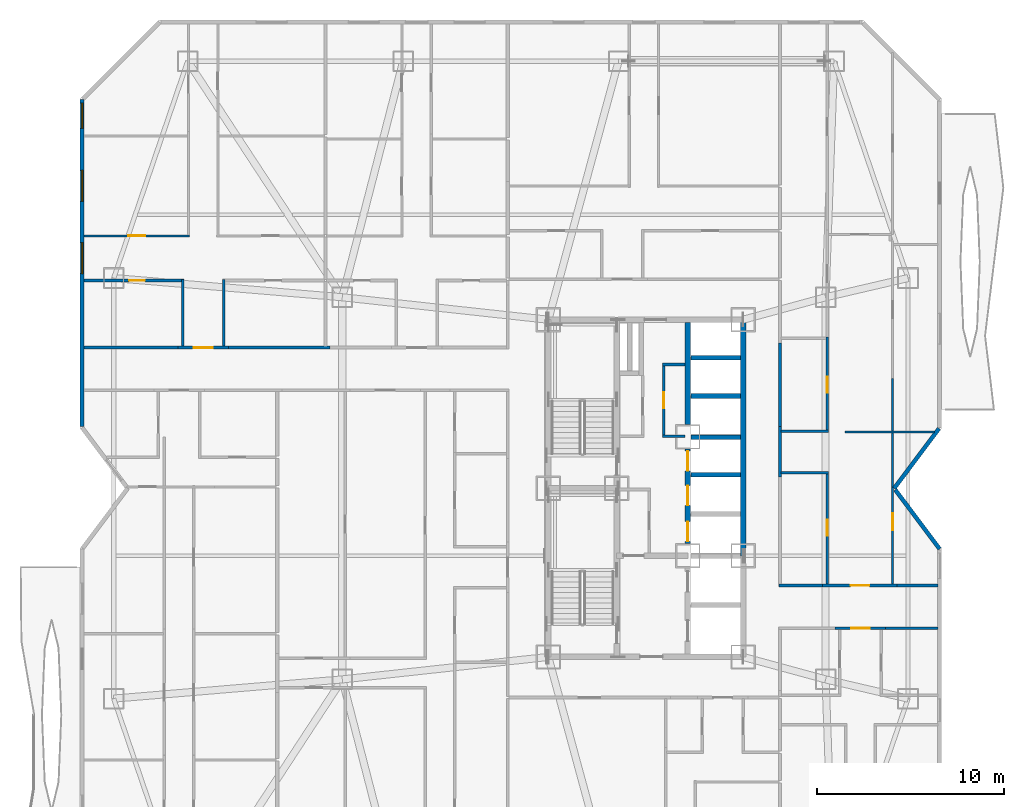
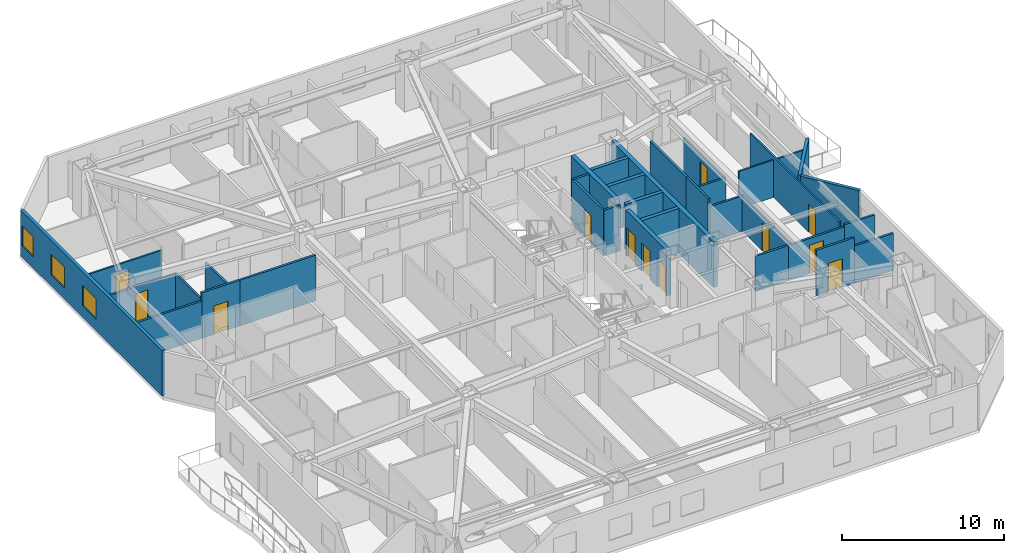
# One storey, part 11 of 16: 33 walls, 12 doors, 3 windows, 15 openings.
"""IFC4 building model written with IfcOpenShell, lengths in metres."""

from ifc_helpers import new_model, si_unit, direction, frame, frame_2d, origin, place, context, subcontext, project, spatial, rectangle, extrude, material, layer, layer_set, type_object, element, fill, save


model = new_model("IFC4")

# Units and contexts
model_context = context("Model", 3, precision=1e-05, world=origin(), true_north=direction((0.0, 1.0)))
body_context = subcontext(model_context, "Body", "Model", "MODEL_VIEW")
ifc_project = project(units=[si_unit("LENGTHUNIT", "METRE"), si_unit("AREAUNIT", "SQUARE_METRE"), si_unit("VOLUMEUNIT", "CUBIC_METRE"), si_unit("PLANEANGLEUNIT", "RADIAN"), si_unit("MASSUNIT", "GRAM", prefix="KILO")], contexts=[model_context])

# Site, building, storey
site_placement = place(None, origin())
site = spatial("IfcSite", under=ifc_project, at=site_placement, CompositionType="ELEMENT")
building_placement = place(site_placement, origin())
building = spatial("IfcBuilding", under=site, at=building_placement, Name="Khamvora Tower", CompositionType="ELEMENT")
storey_placement = place(building_placement, frame((0.0, 0.0, 66.14990234375)))
storey = spatial("IfcBuildingStorey", under=building, at=storey_placement, Name="L16", CompositionType="ELEMENT", Elevation=66.14990234375)

# Wall
ifc_material_1 = material(Name="Concrete C50/60", Category="concrete")
ifc_layer_1 = layer(ifc_material_1, 0.300048828125)
ifc_layer_set_1 = layer_set([ifc_layer_1], Name="Concrete C50/60")
wall_type_1 = type_object("IfcWallType", Name="WAL-CORE-300", PredefinedType="SHEAR", material=ifc_layer_set_1)
wall_1_placement = place(storey_placement, frame((39.39990234375, 24.39990234375, 0.0), z_axis=(0.0, 0.0, 1.0), x_axis=(0.0, 1.0, 0.0)))
element("IfcWall", 1, at=wall_1_placement, inside=storey, type_object=wall_type_1, Name="L16 central core east north wall", PredefinedType="SHEAR", context=body_context, shape_type="SweptSolid", body=[
    extrude(rectangle(XDim=12.60009765625, YDim=0.300048828125, at=frame_2d((6.300048828125, 0.0))), origin(), (0.0, 0.0, 1.0), 3.43017578125),
])

# Wall, openings, doors
wall_2_placement = place(storey_placement, frame((36.449951171875, 25.050048828125, 0.0), z_axis=(0.0, 0.0, 1.0), x_axis=(0.0, 1.0, 0.0)))
wall_2 = element("IfcWall", 2, at=wall_2_placement, inside=storey, type_object=wall_type_1, Name="L16 central core lift bank central wall", PredefinedType="SHEAR", context=body_context, shape_type="SweptSolid", body=[
    extrude(rectangle(XDim=5.050048828125, YDim=0.300048828125, at=frame_2d((2.52490234375, 0.0))), origin(), (0.0, 0.0, 1.0), 3.43017578125),
])
opening_1_placement = place(wall_2_placement, frame((0.1201171875, 0.0, 0.0)))
opening_1 = element("IfcOpeningElement", 3, at=opening_1_placement, cuts=wall_2, Name="Opening LD-PL", PredefinedType="OPENING", context=body_context, shape_type="SweptSolid", body=[
    extrude(rectangle(XDim=1.050048828125, YDim=2.14990234375, at=frame_2d((0.52490234375, 1.074951171875))), frame((0.0, 0.159912109375, 0.0), z_axis=(0.0, -1.0, 0.0), x_axis=(1.0, 0.0, 0.0)), (0.0, 0.0, 1.0), 0.320068359375),
])
opening_2_placement = place(wall_2_placement, frame((2.044921875, 0.0, 0.0)))
opening_2 = element("IfcOpeningElement", 4, at=opening_2_placement, cuts=wall_2, Name="Opening LD-PL", PredefinedType="OPENING", context=body_context, shape_type="SweptSolid", body=[
    extrude(rectangle(XDim=1.050048828125, YDim=2.14990234375, at=frame_2d((0.52490234375, 1.074951171875))), frame((0.0, 0.159912109375, 0.0), z_axis=(0.0, -1.0, 0.0), x_axis=(1.0, 0.0, 0.0)), (0.0, 0.0, 1.0), 0.320068359375),
])
opening_3_placement = place(wall_2_placement, frame((3.8798828125, 0.0, 0.0)))
opening_3 = element("IfcOpeningElement", 5, at=opening_3_placement, cuts=wall_2, Name="Opening LD-PL", PredefinedType="OPENING", context=body_context, shape_type="SweptSolid", body=[
    extrude(rectangle(XDim=1.050048828125, YDim=2.14990234375, at=frame_2d((0.52490234375, 1.074951171875))), frame((0.0, 0.159912109375, 0.0), z_axis=(0.0, -1.0, 0.0), x_axis=(1.0, 0.0, 0.0)), (0.0, 0.0, 1.0), 0.320068359375),
])
ifc_material_2 = material(Name="Powder-Coated Steel and Hardwood Leaf", Category="steel")
door_type_1 = type_object("IfcDoorType", Name="DOR-LIFT-1050", OperationType="SLIDING_TO_LEFT", PredefinedType="DOOR", material=ifc_material_2)
door_1_placement = place(opening_1_placement, origin())
door_1 = element("IfcDoor", 6, at=door_1_placement, inside=storey, type_object=door_type_1, Name="L16 lift landing sliding door PL-01", OperationType="SLIDING_TO_LEFT", OverallHeight=2.14990234375, OverallWidth=1.050048828125, PredefinedType="DOOR", context=body_context, shape_type="SweptSolid", body=[
    extrude(rectangle(XDim=1.050048828125, YDim=2.14990234375, at=frame_2d((0.52490234375, 1.074951171875))), frame((0.0, 0.02490234375, 0.0), z_axis=(0.0, -1.0, 0.0), x_axis=(1.0, 0.0, 0.0)), (0.0, 0.0, 1.0), 0.050048828125),
])
fill(opening_1, door_1)
door_2_placement = place(opening_2_placement, origin())
door_2 = element("IfcDoor", 7, at=door_2_placement, inside=storey, type_object=door_type_1, Name="L16 lift landing sliding door PL-02", OperationType="SLIDING_TO_LEFT", OverallHeight=2.14990234375, OverallWidth=1.050048828125, PredefinedType="DOOR", context=body_context, shape_type="SweptSolid", body=[
    extrude(rectangle(XDim=1.050048828125, YDim=2.14990234375, at=frame_2d((0.52490234375, 1.074951171875))), frame((0.0, 0.02490234375, 0.0), z_axis=(0.0, -1.0, 0.0), x_axis=(1.0, 0.0, 0.0)), (0.0, 0.0, 1.0), 0.050048828125),
])
fill(opening_2, door_2)
door_3_placement = place(opening_3_placement, origin())
door_3 = element("IfcDoor", 8, at=door_3_placement, inside=storey, type_object=door_type_1, Name="L16 lift landing sliding door PL-03", OperationType="SLIDING_TO_LEFT", OverallHeight=2.14990234375, OverallWidth=1.050048828125, PredefinedType="DOOR", context=body_context, shape_type="SweptSolid", body=[
    extrude(rectangle(XDim=1.050048828125, YDim=2.14990234375, at=frame_2d((0.52490234375, 1.074951171875))), frame((0.0, 0.02490234375, 0.0), z_axis=(0.0, -1.0, 0.0), x_axis=(1.0, 0.0, 0.0)), (0.0, 0.0, 1.0), 0.050048828125),
])
fill(opening_3, door_3)

# Walls
wall_3_placement = place(storey_placement, frame((36.449951171875, 31.39990234375, 0.0), z_axis=(0.0, 0.0, 1.0), x_axis=(0.0, 1.0, 0.0)))
element("IfcWall", 9, at=wall_3_placement, inside=storey, type_object=wall_type_1, Name="L16 central core lift bank north wall", PredefinedType="SHEAR", context=body_context, shape_type="SweptSolid", body=[
    extrude(rectangle(XDim=5.446044921875, YDim=0.300048828125, at=frame_2d((2.72314453125, 0.0))), origin(), (0.0, 0.0, 1.0), 3.43017578125),
])
ifc_material_3 = material(Name="Fire-Rated Drywall and Steel Stud", Category="steel")
ifc_layer_2 = layer(ifc_material_3, 0.14990234375)
ifc_layer_set_2 = layer_set([ifc_layer_2], Name="Fire-Rated Drywall and Steel Stud")
wall_type_2 = type_object("IfcWallType", Name="WAL-CORR-150", PredefinedType="STANDARD", material=ifc_layer_set_2)
wall_4_placement = place(storey_placement, frame((36.305908203125, 34.614990234375, 0.0), z_axis=(0.0, 0.0, 1.0), x_axis=(-1.0, 0.0, 0.0)))
element("IfcWall", 10, at=wall_4_placement, inside=storey, type_object=wall_type_2, Name="L16 interior partition wall 001", PredefinedType="STANDARD", context=body_context, shape_type="SweptSolid", body=[
    extrude(rectangle(XDim=1.205810546875, YDim=0.14990234375, at=frame_2d((0.60302734375, 0.0))), origin(), (0.0, 0.0, 1.0), 3.43017578125),
])

# Wall, opening, door
wall_5_placement = place(storey_placement, frame((35.1650390625, 34.677978515625, 0.0), z_axis=(0.0, 0.0, 1.0), x_axis=(0.0, -1.0, 0.0)))
wall_5 = element("IfcWall", 11, at=wall_5_placement, inside=storey, type_object=wall_type_2, Name="L16 interior partition wall 002", PredefinedType="STANDARD", context=body_context, shape_type="SweptSolid", body=[
    extrude(rectangle(XDim=3.9580078125, YDim=0.14990234375, at=frame_2d((1.97900390625, 0.0))), origin(), (0.0, 0.0, 1.0), 3.43017578125),
])
opening_4_placement = place(wall_5_placement, frame((1.553955078125, 0.0, 0.0)))
opening_4 = element("IfcOpeningElement", 12, at=opening_4_placement, cuts=wall_5, Name="Opening D-WC1", PredefinedType="OPENING", context=body_context, shape_type="SweptSolid", body=[
    extrude(rectangle(XDim=0.85009765625, YDim=2.10009765625, at=frame_2d((0.425048828125, 1.050048828125))), frame((0.0, 0.0849609375, 0.0), z_axis=(0.0, -1.0, 0.0), x_axis=(1.0, 0.0, 0.0)), (0.0, 0.0, 1.0), 0.169921875),
])
door_type_2 = type_object("IfcDoorType", Name="DOR-WET-850", OperationType="NOTDEFINED", PredefinedType="DOOR", material=ifc_material_2)
door_4_placement = place(opening_4_placement, origin())
door_4 = element("IfcDoor", 13, at=door_4_placement, inside=storey, type_object=door_type_2, Name="L16 interior door PLL-CS1", OperationType="SINGLE_SWING_RIGHT", OverallHeight=2.10009765625, OverallWidth=0.85009765625, PredefinedType="DOOR", context=body_context, shape_type="SweptSolid", body=[
    extrude(rectangle(XDim=0.85009765625, YDim=2.10009765625, at=frame_2d((0.425048828125, 1.050048828125))), frame((0.0, 0.02490234375, 0.0), z_axis=(0.0, -1.0, 0.0), x_axis=(1.0, 0.0, 0.0)), (0.0, 0.0, 1.0), 0.050048828125),
])
fill(opening_4, door_4)

# Wall
wall_6_placement = place(storey_placement, frame((35.10205078125, 30.784912109375, 0.0), z_axis=(0.0, 0.0, 1.0), x_axis=(1.0, 0.0, 0.0)))
element("IfcWall", 14, at=wall_6_placement, inside=storey, type_object=wall_type_2, Name="L16 interior partition wall 003", PredefinedType="STANDARD", context=body_context, shape_type="SweptSolid", body=[
    extrude(rectangle(XDim=1.197998046875, YDim=0.14990234375, at=frame_2d((0.59912109375, 0.0))), origin(), (0.0, 0.0, 1.0), 3.43017578125),
])

# Wall, opening, door
wall_7_placement = place(storey_placement, frame((9.22607421875, 35.514892578125, 0.0), z_axis=(0.0, 0.0, 1.0), x_axis=(1.0, 0.0, 0.0)))
wall_7 = element("IfcWall", 15, at=wall_7_placement, inside=storey, type_object=wall_type_2, Name="L16 interior partition wall 021", PredefinedType="STANDARD", context=body_context, shape_type="SweptSolid", body=[
    extrude(rectangle(XDim=2.697998046875, YDim=0.14990234375, at=frame_2d((1.34912109375, 0.0))), origin(), (0.0, 0.0, 1.0), 3.43017578125),
])
opening_5_placement = place(wall_7_placement, frame((0.84912109375, 0.0, 0.0)))
opening_5 = element("IfcOpeningElement", 16, at=opening_5_placement, cuts=wall_7, Name="Opening D-U1", PredefinedType="OPENING", context=body_context, shape_type="SweptSolid", body=[
    extrude(rectangle(XDim=1.0, YDim=2.14990234375, at=frame_2d((0.5, 1.074951171875))), frame((0.0, 0.0849609375, 0.0), z_axis=(0.0, -1.0, 0.0), x_axis=(1.0, 0.0, 0.0)), (0.0, 0.0, 1.0), 0.169921875),
])
door_type_3 = type_object("IfcDoorType", Name="DOR-UNIT-1000", OperationType="NOTDEFINED", PredefinedType="DOOR", material=ifc_material_2)
door_5_placement = place(opening_5_placement, origin())
door_5 = element("IfcDoor", 17, at=door_5_placement, inside=storey, type_object=door_type_3, Name="L16 interior door COR-16WBH", OperationType="SINGLE_SWING_LEFT", OverallHeight=2.14990234375, OverallWidth=1.0, PredefinedType="DOOR", context=body_context, shape_type="SweptSolid", body=[
    extrude(rectangle(XDim=1.0, YDim=2.14990234375, at=frame_2d((0.5, 1.074951171875))), frame((0.0, 0.02490234375, 0.0), z_axis=(0.0, -1.0, 0.0), x_axis=(1.0, 0.0, 0.0)), (0.0, 0.0, 1.0), 0.050048828125),
])
fill(opening_5, door_5)

# Walls
wall_8_placement = place(storey_placement, frame((4.2119140625, 35.514892578125, 0.0), z_axis=(0.0, 0.0, 1.0), x_axis=(1.0, 0.0, 0.0)))
element("IfcWall", 18, at=wall_8_placement, inside=storey, type_object=wall_type_2, Name="L16 interior partition wall 022", PredefinedType="STANDARD", context=body_context, shape_type="SweptSolid", body=[
    extrude(rectangle(XDim=5.01416015625, YDim=0.14990234375, at=frame_2d((2.507080078125, 0.0))), origin(), (0.0, 0.0, 1.0), 2.802978515625),
])
wall_9_placement = place(storey_placement, frame((11.924072265625, 35.514892578125, 0.0), z_axis=(0.0, 0.0, 1.0), x_axis=(1.0, 0.0, 0.0)))
element("IfcWall", 19, at=wall_9_placement, inside=storey, type_object=wall_type_2, Name="L16 interior partition wall 023", PredefinedType="STANDARD", context=body_context, shape_type="SweptSolid", body=[
    extrude(rectangle(XDim=5.429931640625, YDim=0.14990234375, at=frame_2d((2.71484375, 0.0))), origin(), (0.0, 0.0, 1.0), 3.43017578125),
])

# Wall, opening, door
wall_10_placement = place(storey_placement, frame((47.009033203125, 20.534912109375, 0.0), z_axis=(0.0, 0.0, 1.0), x_axis=(-1.0, 0.0, 0.0)))
wall_10 = element("IfcWall", 20, at=wall_10_placement, inside=storey, type_object=wall_type_2, Name="L16 interior partition wall 035", PredefinedType="STANDARD", context=body_context, shape_type="SweptSolid", body=[
    extrude(rectangle(XDim=2.697998046875, YDim=0.14990234375, at=frame_2d((1.34912109375, 0.0))), origin(), (0.0, 0.0, 1.0), 3.43017578125),
])
opening_6_placement = place(wall_10_placement, frame((0.84912109375, 0.0, 0.0)))
opening_6 = element("IfcOpeningElement", 21, at=opening_6_placement, cuts=wall_10, Name="Opening D-U1", PredefinedType="OPENING", context=body_context, shape_type="SweptSolid", body=[
    extrude(rectangle(XDim=1.0, YDim=2.14990234375, at=frame_2d((0.5, 1.074951171875))), frame((0.0, 0.0849609375, 0.0), z_axis=(0.0, -1.0, 0.0), x_axis=(1.0, 0.0, 0.0)), (0.0, 0.0, 1.0), 0.169921875),
])
door_6_placement = place(opening_6_placement, origin())
door_6 = element("IfcDoor", 22, at=door_6_placement, inside=storey, type_object=door_type_3, Name="L16 interior door COR-16EAH", OperationType="SINGLE_SWING_LEFT", OverallHeight=2.14990234375, OverallWidth=1.0, PredefinedType="DOOR", context=body_context, shape_type="SweptSolid", body=[
    extrude(rectangle(XDim=1.0, YDim=2.14990234375, at=frame_2d((0.5, 1.074951171875))), frame((0.0, 0.02490234375, 0.0), z_axis=(0.0, -1.0, 0.0), x_axis=(1.0, 0.0, 0.0)), (0.0, 0.0, 1.0), 0.050048828125),
])
fill(opening_6, door_6)

# Walls
wall_11_placement = place(storey_placement, frame((49.7880859375, 20.534912109375, 0.0), z_axis=(0.0, 0.0, 1.0), x_axis=(-1.0, 0.0, 0.0)))
element("IfcWall", 23, at=wall_11_placement, inside=storey, type_object=wall_type_2, Name="L16 interior partition wall 039", PredefinedType="STANDARD", context=body_context, shape_type="SweptSolid", body=[
    extrude(rectangle(XDim=2.779052734375, YDim=0.14990234375, at=frame_2d((1.3896484375, 0.0))), origin(), (0.0, 0.0, 1.0), 2.802978515625),
])
wall_12_placement = place(storey_placement, frame((41.364990234375, 31.2900390625, 0.0), z_axis=(0.0, 0.0, 1.0), x_axis=(0.0, -1.0, 0.0)))
element("IfcWall", 24, at=wall_12_placement, inside=storey, type_object=wall_type_2, Name="L16 interior partition wall 041", PredefinedType="STANDARD", context=body_context, shape_type="SweptSolid", body=[
    extrude(rectangle(XDim=2.697998046875, YDim=0.14990234375, at=frame_2d((1.34912109375, 0.0))), origin(), (0.0, 0.0, 1.0), 3.43017578125),
])

# Wall, opening, door
wall_13_placement = place(storey_placement, frame((43.64599609375, 22.81494140625, 0.0), z_axis=(0.0, 0.0, 1.0), x_axis=(1.0, 0.0, 0.0)))
wall_13 = element("IfcWall", 25, at=wall_13_placement, inside=storey, type_object=wall_type_2, Name="L16 interior partition wall 042", PredefinedType="STANDARD", context=body_context, shape_type="SweptSolid", body=[
    extrude(rectangle(XDim=3.97802734375, YDim=0.14990234375, at=frame_2d((1.989013671875, 0.0))), origin(), (0.0, 0.0, 1.0), 2.647216796875),
])
opening_7_placement = place(wall_13_placement, frame((1.489013671875, 0.0, 0.0)))
opening_7 = element("IfcOpeningElement", 26, at=opening_7_placement, cuts=wall_13, Name="Opening D-U1", PredefinedType="OPENING", context=body_context, shape_type="SweptSolid", body=[
    extrude(rectangle(XDim=1.0, YDim=2.14990234375, at=frame_2d((0.5, 1.074951171875))), frame((0.0, 0.0849609375, 0.0), z_axis=(0.0, -1.0, 0.0), x_axis=(1.0, 0.0, 0.0)), (0.0, 0.0, 1.0), 0.169921875),
])
door_7_placement = place(opening_7_placement, origin())
door_7 = element("IfcDoor", 27, at=door_7_placement, inside=storey, type_object=door_type_3, Name="L16 interior door COR-16EBH", OperationType="SINGLE_SWING_RIGHT", OverallHeight=2.14990234375, OverallWidth=1.0, PredefinedType="DOOR", context=body_context, shape_type="SweptSolid", body=[
    extrude(rectangle(XDim=1.0, YDim=2.14990234375, at=frame_2d((0.5, 1.074951171875))), frame((0.0, 0.02490234375, 0.0), z_axis=(0.0, -1.0, 0.0), x_axis=(1.0, 0.0, 0.0)), (0.0, 0.0, 1.0), 0.050048828125),
])
fill(opening_7, door_7)

# Walls
wall_14_placement = place(storey_placement, frame((41.364990234375, 35.757080078125, 0.0), z_axis=(0.0, 0.0, 1.0), x_axis=(0.0, -1.0, 0.0)))
element("IfcWall", 28, at=wall_14_placement, inside=storey, type_object=wall_type_2, Name="L16 interior partition wall 043", PredefinedType="STANDARD", context=body_context, shape_type="SweptSolid", body=[
    extrude(rectangle(XDim=4.467041015625, YDim=0.14990234375, at=frame_2d((2.2333984375, 0.0))), origin(), (0.0, 0.0, 1.0), 3.43017578125),
])
wall_15_placement = place(storey_placement, frame((41.300048828125, 22.81494140625, 0.0), z_axis=(0.0, 0.0, 1.0), x_axis=(1.0, 0.0, 0.0)))
element("IfcWall", 29, at=wall_15_placement, inside=storey, type_object=wall_type_2, Name="L16 interior partition wall 045", PredefinedType="STANDARD", context=body_context, shape_type="SweptSolid", body=[
    extrude(rectangle(XDim=2.345947265625, YDim=0.14990234375, at=frame_2d((1.1728515625, 0.0))), origin(), (0.0, 0.0, 1.0), 2.647216796875),
])
wall_16_placement = place(storey_placement, frame((47.6240234375, 22.81494140625, 0.0), z_axis=(0.0, 0.0, 1.0), x_axis=(1.0, 0.0, 0.0)))
element("IfcWall", 30, at=wall_16_placement, inside=storey, type_object=wall_type_2, Name="L16 interior partition wall 046", PredefinedType="STANDARD", context=body_context, shape_type="SweptSolid", body=[
    extrude(rectangle(XDim=2.1640625, YDim=0.14990234375, at=frame_2d((1.08203125, 0.0))), origin(), (0.0, 0.0, 1.0), 2.802978515625),
])

# Wall, openings, windows
ifc_material_4 = material(Name="Precast concrete C40/50", Category="concrete")
ifc_layer_3 = layer(ifc_material_4, 0.219970703125)
ifc_layer_set_3 = layer_set([ifc_layer_3], Name="Precast concrete C40/50")
wall_type_3 = type_object("IfcWallType", Name="WAL-EXT-220", PredefinedType="STANDARD", material=ifc_layer_set_3)
wall_17_placement = place(storey_placement, frame((4.110107421875, 31.294921875, 0.0), z_axis=(0.0, 0.0, 1.0), x_axis=(0.0, 1.0, 0.0)))
wall_17 = element("IfcWall", 31, at=wall_17_placement, inside=storey, type_object=wall_type_3, Name="L16 exterior facade wall 05.1", PredefinedType="STANDARD", context=body_context, shape_type="SweptSolid", body=[
    extrude(rectangle(XDim=17.458984375, YDim=0.219970703125, at=frame_2d((8.7294921875, 0.0))), origin(), (0.0, 0.0, 1.0), 3.43017578125),
])
opening_8_placement = place(wall_17_placement, frame((8.1650390625, 0.0, 0.85009765625)))
opening_8 = element("IfcOpeningElement", 32, at=opening_8_placement, cuts=wall_17, Name="Opening WN-06", PredefinedType="OPENING", context=body_context, shape_type="SweptSolid", body=[
    extrude(rectangle(XDim=1.64990234375, YDim=1.550048828125, at=frame_2d((0.824951171875, 0.77490234375))), frame((0.0, 0.119873046875, 0.0), z_axis=(0.0, -1.0, 0.0), x_axis=(1.0, 0.0, 0.0)), (0.0, 0.0, 1.0), 0.239990234375),
])
opening_9_placement = place(wall_17_placement, frame((12.02392578125, 0.0, 0.85009765625)))
opening_9 = element("IfcOpeningElement", 33, at=opening_9_placement, cuts=wall_17, Name="Opening WN-06", PredefinedType="OPENING", context=body_context, shape_type="SweptSolid", body=[
    extrude(rectangle(XDim=1.64990234375, YDim=1.550048828125, at=frame_2d((0.824951171875, 0.77490234375))), frame((0.0, 0.119873046875, 0.0), z_axis=(0.0, -1.0, 0.0), x_axis=(1.0, 0.0, 0.0)), (0.0, 0.0, 1.0), 0.239990234375),
])
opening_10_placement = place(wall_17_placement, frame((15.9208984375, 0.0, 0.85009765625)))
opening_10 = element("IfcOpeningElement", 34, at=opening_10_placement, cuts=wall_17, Name="Opening WN-07", PredefinedType="OPENING", context=body_context, shape_type="SweptSolid", body=[
    extrude(rectangle(XDim=1.35009765625, YDim=1.5, at=frame_2d((0.675048828125, 0.75))), frame((0.0, 0.119873046875, 0.0), z_axis=(0.0, -1.0, 0.0), x_axis=(1.0, 0.0, 0.0)), (0.0, 0.0, 1.0), 0.239990234375),
])
ifc_material_5 = material(Name="Low-E Laminated Double Glazing", Category="glass")
window_type_1 = type_object("IfcWindowType", Name="WIN-VIS-1350x1500", PartitioningType="SINGLE_PANEL", PredefinedType="WINDOW", material=ifc_material_5)
window_1_placement = place(opening_10_placement, origin())
window_1 = element("IfcWindow", 35, at=window_1_placement, inside=storey, type_object=window_type_1, Name="L16 vision window 05.1.03", OverallHeight=1.5, OverallWidth=1.35009765625, PartitioningType="SINGLE_PANEL", PredefinedType="WINDOW", context=body_context, shape_type="SweptSolid", body=[
    extrude(rectangle(XDim=1.35009765625, YDim=1.5, at=frame_2d((0.675048828125, 0.75))), frame((0.0, 0.030029296875, 0.0), z_axis=(0.0, -1.0, 0.0), x_axis=(1.0, 0.0, 0.0)), (0.0, 0.0, 1.0), 0.06005859375),
])
fill(opening_10, window_1)
window_type_2 = type_object("IfcWindowType", Name="WIN-VIS-1650x1550", PartitioningType="SINGLE_PANEL", PredefinedType="WINDOW", material=ifc_material_5)
window_2_placement = place(opening_8_placement, origin())
window_2 = element("IfcWindow", 36, at=window_2_placement, inside=storey, type_object=window_type_2, Name="L16 vision window 05.1.01", OverallHeight=1.550048828125, OverallWidth=1.64990234375, PartitioningType="SINGLE_PANEL", PredefinedType="WINDOW", context=body_context, shape_type="SweptSolid", body=[
    extrude(rectangle(XDim=1.64990234375, YDim=1.550048828125, at=frame_2d((0.824951171875, 0.77490234375))), frame((0.0, 0.030029296875, 0.0), z_axis=(0.0, -1.0, 0.0), x_axis=(1.0, 0.0, 0.0)), (0.0, 0.0, 1.0), 0.06005859375),
])
fill(opening_8, window_2)
window_3_placement = place(opening_9_placement, origin())
window_3 = element("IfcWindow", 37, at=window_3_placement, inside=storey, type_object=window_type_2, Name="L16 vision window 05.1.02", OverallHeight=1.550048828125, OverallWidth=1.64990234375, PartitioningType="SINGLE_PANEL", PredefinedType="WINDOW", context=body_context, shape_type="SweptSolid", body=[
    extrude(rectangle(XDim=1.64990234375, YDim=1.550048828125, at=frame_2d((0.824951171875, 0.77490234375))), frame((0.0, 0.030029296875, 0.0), z_axis=(0.0, -1.0, 0.0), x_axis=(1.0, 0.0, 0.0)), (0.0, 0.0, 1.0), 0.06005859375),
])
fill(opening_9, window_3)

# Walls
wall_18_placement = place(storey_placement, frame((49.85595703125, 31.19091796875, 0.0), z_axis=(0.0, 0.0, 1.0), x_axis=(-0.600137081448, -0.799897170561, 0.0)))
element("IfcWall", 38, at=wall_18_placement, inside=storey, type_object=wall_type_3, Name="L16 exterior facade wall 10.1", PredefinedType="STANDARD", context=body_context, shape_type="SweptSolid", body=[
    extrude(rectangle(XDim=3.9892578125, YDim=0.219970703125, at=frame_2d((1.99462890625, 0.0))), origin(), (0.0, 0.0, 1.0), 3.43017578125),
])
wall_19_placement = place(storey_placement, frame((47.51904296875, 27.923095703125, 0.0), z_axis=(0.0, 0.0, 1.0), x_axis=(0.600118645218, -0.799911002338, 0.0)))
element("IfcWall", 39, at=wall_19_placement, inside=storey, type_object=wall_type_3, Name="L16 exterior facade wall 11.1", PredefinedType="STANDARD", context=body_context, shape_type="SweptSolid", body=[
    extrude(rectangle(XDim=3.95068359375, YDim=0.219970703125, at=frame_2d((1.975341796875, 0.0))), origin(), (0.0, 0.0, 1.0), 3.43017578125),
])

# Wall, opening, door
ifc_material_6 = material(Name="Gypsum Plasterboard Partition", Category="gypsum")
ifc_layer_4 = layer(ifc_material_6, 0.1201171875)
ifc_layer_set_4 = layer_set([ifc_layer_4], Name="Gypsum Plasterboard Partition")
wall_type_4 = type_object("IfcWallType", Name="WAL-PART-120", PredefinedType="PARTITIONING", material=ifc_layer_set_4)
wall_20_placement = place(storey_placement, frame((4.2119140625, 41.47509765625, 0.0), z_axis=(0.0, 0.0, 1.0), x_axis=(1.0, 0.0, 0.0)))
wall_20 = element("IfcWall", 40, at=wall_20_placement, inside=storey, type_object=wall_type_4, Name="L16 interior partition wall 098", PredefinedType="PARTITIONING", context=body_context, shape_type="SweptSolid", body=[
    extrude(rectangle(XDim=5.64306640625, YDim=0.1201171875, at=frame_2d((2.821533203125, 0.0))), origin(), (0.0, 0.0, 1.0), 2.802978515625),
])
opening_11_placement = place(wall_20_placement, frame((2.37109375, 0.0, 0.0)))
opening_11 = element("IfcOpeningElement", 41, at=opening_11_placement, cuts=wall_20, Name="Opening D-RM1", PredefinedType="OPENING", context=body_context, shape_type="SweptSolid", body=[
    extrude(rectangle(XDim=0.89990234375, YDim=2.10009765625, at=frame_2d((0.449951171875, 1.050048828125))), frame((0.0, 0.070068359375, 0.0), z_axis=(0.0, -1.0, 0.0), x_axis=(1.0, 0.0, 0.0)), (0.0, 0.0, 1.0), 0.14013671875),
])
door_type_4 = type_object("IfcDoorType", Name="DOR-ROOM-900", OperationType="NOTDEFINED", PredefinedType="DOOR", material=ifc_material_2)
door_8_placement = place(opening_11_placement, origin())
door_8 = element("IfcDoor", 42, at=door_8_placement, inside=storey, type_object=door_type_4, Name="L16 interior door 16WBH-16WBL", OperationType="SINGLE_SWING_LEFT", OverallHeight=2.10009765625, OverallWidth=0.89990234375, PredefinedType="DOOR", context=body_context, shape_type="SweptSolid", body=[
    extrude(rectangle(XDim=0.89990234375, YDim=2.10009765625, at=frame_2d((0.449951171875, 1.050048828125))), frame((0.0, 0.02490234375, 0.0), z_axis=(0.0, -1.0, 0.0), x_axis=(1.0, 0.0, 0.0)), (0.0, 0.0, 1.0), 0.050048828125),
])
fill(opening_11, door_8)

wall_21_placement = place(storey_placement, frame((47.375, 33.862060546875, 0.0), z_axis=(0.0, 0.0, 1.0), x_axis=(0.0, -1.0, 0.0)))
wall_21 = element("IfcWall", 43, at=wall_21_placement, inside=storey, type_object=wall_type_4, Name="L16 interior partition wall 169", PredefinedType="PARTITIONING", context=body_context, shape_type="SweptSolid", body=[
    extrude(rectangle(XDim=10.97998046875, YDim=0.1201171875, at=frame_2d((5.489990234375, 0.0))), origin(), (0.0, 0.0, 1.0), 3.065185546875),
])
opening_12_placement = place(wall_21_placement, frame((7.202880859375, 0.0, 0.0)))
opening_12 = element("IfcOpeningElement", 44, at=opening_12_placement, cuts=wall_21, Name="Opening D-RM1", PredefinedType="OPENING", context=body_context, shape_type="SweptSolid", body=[
    extrude(rectangle(XDim=0.89990234375, YDim=2.10009765625, at=frame_2d((0.449951171875, 1.050048828125))), frame((0.0, 0.070068359375, 0.0), z_axis=(0.0, -1.0, 0.0), x_axis=(1.0, 0.0, 0.0)), (0.0, 0.0, 1.0), 0.14013671875),
])
door_9_placement = place(opening_12_placement, origin())
door_9 = element("IfcDoor", 45, at=door_9_placement, inside=storey, type_object=door_type_4, Name="L16 interior door 16EBH-16EBL", OperationType="SINGLE_SWING_RIGHT", OverallHeight=2.10009765625, OverallWidth=0.89990234375, PredefinedType="DOOR", context=body_context, shape_type="SweptSolid", body=[
    extrude(rectangle(XDim=0.89990234375, YDim=2.10009765625, at=frame_2d((0.449951171875, 1.050048828125))), frame((0.0, 0.02490234375, 0.0), z_axis=(0.0, -1.0, 0.0), x_axis=(1.0, 0.0, 0.0)), (0.0, 0.0, 1.0), 0.050048828125),
])
fill(opening_12, door_9)

# Walls
wall_22_placement = place(storey_placement, frame((44.840087890625, 31.012939453125, 0.0), z_axis=(0.0, 0.0, 1.0), x_axis=(1.0, 0.0, 0.0)))
element("IfcWall", 46, at=wall_22_placement, inside=storey, type_object=wall_type_4, Name="L16 interior partition wall 172", PredefinedType="PARTITIONING", context=body_context, shape_type="SweptSolid", body=[
    extrude(rectangle(XDim=4.77099609375, YDim=0.1201171875, at=frame_2d((2.385498046875, 0.0))), origin(), (0.0, 0.0, 1.0), 2.802978515625),
])
ifc_material_7 = material(Name="Concrete C40/50", Category="concrete")
ifc_layer_5 = layer(ifc_material_7, 0.25)
ifc_layer_set_5 = layer_set([ifc_layer_5], Name="Concrete C40/50")
wall_type_5 = type_object("IfcWallType", Name="WAL-PODS-250", PredefinedType="SHEAR", material=ifc_layer_set_5)
for number, where, z_axis, x_axis, name in (
    (47, (36.60400390625, 28.72509765625, 0.0), (0.0, 0.0, 1.0), (1.0, 0.0, 0.0), "L16 lift shaft divider wall PL-02"),
    (48, (36.60400390625, 30.72509765625, 0.0), (0.0, 0.0, 1.0), (1.0, 0.0, 0.0), "L16 lift shaft divider wall PL-03"),
    (49, (36.60400390625, 32.925048828125, 0.0), (0.0, 0.0, 1.0), (1.0, 0.0, 0.0), "L16 lift shaft divider wall PH-01"),
    (50, (36.60400390625, 34.97509765625, 0.0), (0.0, 0.0, 1.0), (1.0, 0.0, 0.0), "L16 lift shaft divider wall PH-02"),
):
    element("IfcWall", number, at=place(storey_placement, frame(where, z_axis=z_axis, x_axis=x_axis)), inside=storey, type_object=wall_type_5, Name=name, PredefinedType="SHEAR", context=body_context, shape_type="SweptSolid", body=[
        extrude(rectangle(XDim=2.64208984375, YDim=0.25, at=frame_2d((1.321044921875, 0.0))), origin(), (0.0, 0.0, 1.0), 3.43017578125),
    ])
ifc_material_8 = material(Name="Moisture-Resistant Plasterboard Partition", Category="gypsum")
ifc_layer_6 = layer(ifc_material_8, 0.135009765625)
ifc_layer_set_6 = layer_set([ifc_layer_6], Name="Moisture-Resistant Plasterboard Partition")
wall_type_6 = type_object("IfcWallType", Name="WAL-WET-135", PredefinedType="PARTITIONING", material=ifc_layer_set_6)
wall_23_placement = place(storey_placement, frame((9.47509765625, 35.58203125, 0.0), z_axis=(0.0, 0.0, 1.0), x_axis=(0.0, 1.0, 0.0)))
element("IfcWall", 51, at=wall_23_placement, inside=storey, type_object=wall_type_6, Name="L16 interior partition wall 094", PredefinedType="PARTITIONING", context=body_context, shape_type="SweptSolid", body=[
    extrude(rectangle(XDim=3.577880859375, YDim=0.135009765625, at=frame_2d((1.7890625, 0.0))), origin(), (0.0, 0.0, 1.0), 2.647216796875),
])

# Wall, opening, door
wall_24_placement = place(storey_placement, frame((9.5400390625, 39.094970703125, 0.0), z_axis=(0.0, 0.0, 1.0), x_axis=(-1.0, 0.0, 0.0)))
wall_24 = element("IfcWall", 52, at=wall_24_placement, inside=storey, type_object=wall_type_6, Name="L16 interior partition wall 095", PredefinedType="PARTITIONING", context=body_context, shape_type="SweptSolid", body=[
    extrude(rectangle(XDim=5.328125, YDim=0.135009765625, at=frame_2d((2.6640625, 0.0))), origin(), (0.0, 0.0, 1.0), 2.647216796875),
])
opening_13_placement = place(wall_24_placement, frame((2.072021484375, 0.0, 0.0)))
opening_13 = element("IfcOpeningElement", 53, at=opening_13_placement, cuts=wall_24, Name="Opening D-WC1", PredefinedType="OPENING", context=body_context, shape_type="SweptSolid", body=[
    extrude(rectangle(XDim=0.85009765625, YDim=2.10009765625, at=frame_2d((0.425048828125, 1.050048828125))), frame((0.0, 0.077392578125, 0.0), z_axis=(0.0, -1.0, 0.0), x_axis=(1.0, 0.0, 0.0)), (0.0, 0.0, 1.0), 0.155029296875),
])
door_10_placement = place(opening_13_placement, origin())
door_10 = element("IfcDoor", 54, at=door_10_placement, inside=storey, type_object=door_type_2, Name="L16 interior door 16WBH-16WBB", OperationType="SINGLE_SWING_LEFT", OverallHeight=2.10009765625, OverallWidth=0.85009765625, PredefinedType="DOOR", context=body_context, shape_type="SweptSolid", body=[
    extrude(rectangle(XDim=0.85009765625, YDim=2.10009765625, at=frame_2d((0.425048828125, 1.050048828125))), frame((0.0, 0.02490234375, 0.0), z_axis=(0.0, -1.0, 0.0), x_axis=(1.0, 0.0, 0.0)), (0.0, 0.0, 1.0), 0.050048828125),
])
fill(opening_13, door_10)

# Walls
wall_25_placement = place(storey_placement, frame((11.675048828125, 39.159912109375, 0.0), z_axis=(0.0, 0.0, 1.0), x_axis=(0.0, -1.0, 0.0)))
element("IfcWall", 55, at=wall_25_placement, inside=storey, type_object=wall_type_6, Name="L16 interior partition wall 097", PredefinedType="PARTITIONING", context=body_context, shape_type="SweptSolid", body=[
    extrude(rectangle(XDim=3.577880859375, YDim=0.135009765625, at=frame_2d((1.7890625, 0.0))), origin(), (0.0, 0.0, 1.0), 2.647216796875),
])
wall_26_placement = place(storey_placement, frame((41.431884765625, 31.041015625, 0.0), z_axis=(0.0, 0.0, 1.0), x_axis=(1.0, 0.0, 0.0)))
element("IfcWall", 56, at=wall_26_placement, inside=storey, type_object=wall_type_6, Name="L16 interior partition wall 165", PredefinedType="PARTITIONING", context=body_context, shape_type="SweptSolid", body=[
    extrude(rectangle(XDim=2.528076171875, YDim=0.135009765625, at=frame_2d((1.26416015625, 0.0))), origin(), (0.0, 0.0, 1.0), 2.647216796875),
])

# Wall, opening, door
wall_27_placement = place(storey_placement, frame((43.89501953125, 30.97607421875, 0.0), z_axis=(0.0, 0.0, 1.0), x_axis=(0.0, 1.0, 0.0)))
wall_27 = element("IfcWall", 57, at=wall_27_placement, inside=storey, type_object=wall_type_6, Name="L16 interior partition wall 166", PredefinedType="PARTITIONING", context=body_context, shape_type="SweptSolid", body=[
    extrude(rectangle(XDim=5.094970703125, YDim=0.135009765625, at=frame_2d((2.54736328125, 0.0))), origin(), (0.0, 0.0, 1.0), 2.647216796875),
])
opening_14_placement = place(wall_27_placement, frame((2.123046875, 0.0, 0.0)))
opening_14 = element("IfcOpeningElement", 58, at=opening_14_placement, cuts=wall_27, Name="Opening D-WC1", PredefinedType="OPENING", context=body_context, shape_type="SweptSolid", body=[
    extrude(rectangle(XDim=0.85009765625, YDim=2.10009765625, at=frame_2d((0.425048828125, 1.050048828125))), frame((0.0, 0.077392578125, 0.0), z_axis=(0.0, -1.0, 0.0), x_axis=(1.0, 0.0, 0.0)), (0.0, 0.0, 1.0), 0.155029296875),
])
door_11_placement = place(opening_14_placement, origin())
door_11 = element("IfcDoor", 59, at=door_11_placement, inside=storey, type_object=door_type_2, Name="L16 interior door 16EBH-16EBB", OperationType="SINGLE_SWING_RIGHT", OverallHeight=2.10009765625, OverallWidth=0.85009765625, PredefinedType="DOOR", context=body_context, shape_type="SweptSolid", body=[
    extrude(rectangle(XDim=0.85009765625, YDim=2.10009765625, at=frame_2d((0.425048828125, 1.050048828125))), frame((0.0, 0.02490234375, 0.0), z_axis=(0.0, -1.0, 0.0), x_axis=(1.0, 0.0, 0.0)), (0.0, 0.0, 1.0), 0.050048828125),
])
fill(opening_14, door_11)

wall_28_placement = place(storey_placement, frame((43.89501953125, 22.882080078125, 0.0), z_axis=(0.0, 0.0, 1.0), x_axis=(0.0, 1.0, 0.0)))
wall_28 = element("IfcWall", 60, at=wall_28_placement, inside=storey, type_object=wall_type_6, Name="L16 interior partition wall 167", PredefinedType="PARTITIONING", context=body_context, shape_type="SweptSolid", body=[
    extrude(rectangle(XDim=6.02392578125, YDim=0.135009765625, at=frame_2d((3.011962890625, 0.0))), origin(), (0.0, 0.0, 1.0), 2.647216796875),
])
opening_15_placement = place(wall_28_placement, frame((2.5869140625, 0.0, 0.0)))
opening_15 = element("IfcOpeningElement", 61, at=opening_15_placement, cuts=wall_28, Name="Opening D-RM2", PredefinedType="OPENING", context=body_context, shape_type="SweptSolid", body=[
    extrude(rectangle(XDim=0.85009765625, YDim=2.10009765625, at=frame_2d((0.425048828125, 1.050048828125))), frame((0.0, 0.077392578125, 0.0), z_axis=(0.0, -1.0, 0.0), x_axis=(1.0, 0.0, 0.0)), (0.0, 0.0, 1.0), 0.155029296875),
])
door_type_5 = type_object("IfcDoorType", Name="DOR-ROOM-850", OperationType="NOTDEFINED", PredefinedType="DOOR", material=ifc_material_2)
door_12_placement = place(opening_15_placement, origin())
door_12 = element("IfcDoor", 62, at=door_12_placement, inside=storey, type_object=door_type_5, Name="L16 interior door 16EBH-16EBK", OperationType="SINGLE_SWING_LEFT", OverallHeight=2.10009765625, OverallWidth=0.85009765625, PredefinedType="DOOR", context=body_context, shape_type="SweptSolid", body=[
    extrude(rectangle(XDim=0.85009765625, YDim=2.10009765625, at=frame_2d((0.425048828125, 1.050048828125))), frame((0.0, 0.02490234375, 0.0), z_axis=(0.0, -1.0, 0.0), x_axis=(1.0, 0.0, 0.0)), (0.0, 0.0, 1.0), 0.050048828125),
])
fill(opening_15, door_12)

# Wall
wall_29_placement = place(storey_placement, frame((43.9599609375, 28.841064453125, 0.0), z_axis=(0.0, 0.0, 1.0), x_axis=(-1.0, 0.0, 0.0)))
element("IfcWall", 63, at=wall_29_placement, inside=storey, type_object=wall_type_6, Name="L16 interior partition wall 168", PredefinedType="PARTITIONING", context=body_context, shape_type="SweptSolid", body=[
    extrude(rectangle(XDim=2.528076171875, YDim=0.135009765625, at=frame_2d((1.26416015625, 0.0))), origin(), (0.0, 0.0, 1.0), 2.647216796875),
])

save(model, "model.ifc")
